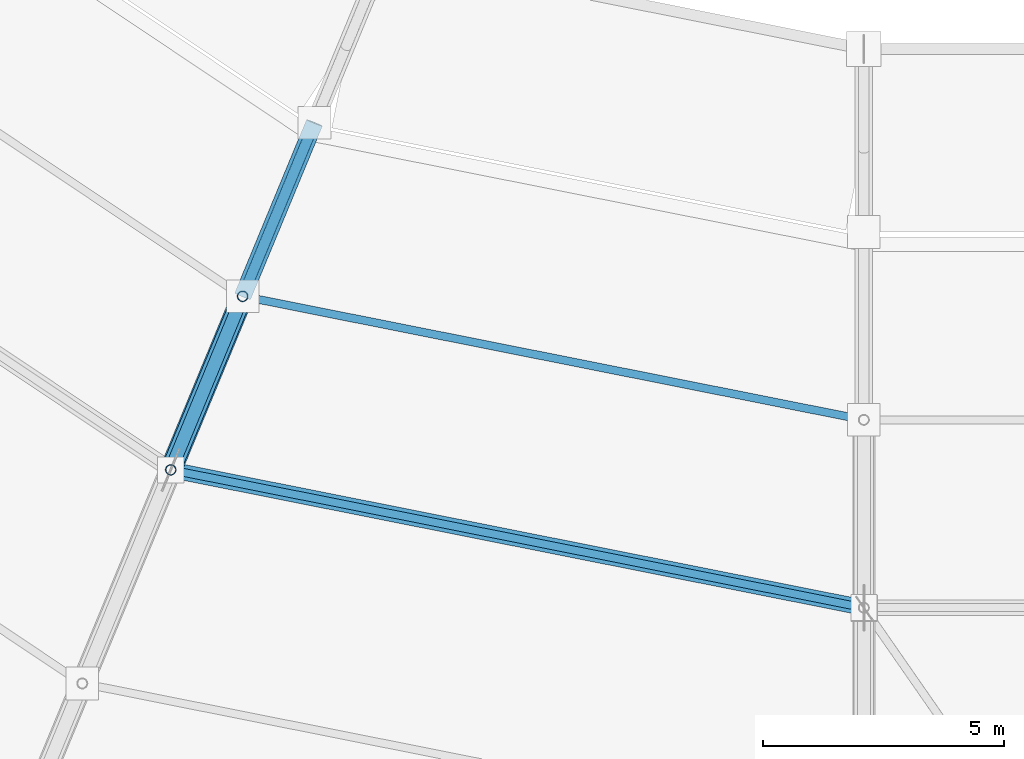
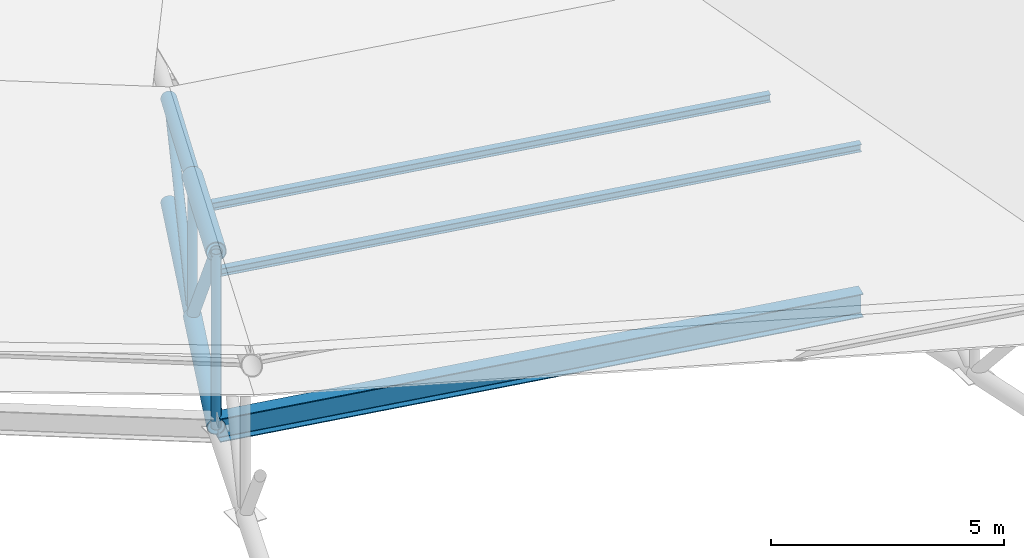
# One storey, part 19 of 146: 10 members, 1 beam.
"""IFC4 building model written with IfcOpenShell, lengths in metres."""

from ifc_helpers import new_model, si_unit, direction, frame, origin, origin_2d, place, context, subcontext, project, spatial, hollow_circle, i_section, extrude, material, material_profile, profile_set, type_object, element, save


model = new_model("IFC4")

# Units and contexts
model_context = context("Model", 3, precision=1e-05, world=origin(), true_north=direction((0.0, 1.0)))
body_context = subcontext(model_context, "Body", "Model", "MODEL_VIEW")
ifc_project = project(units=[si_unit("LENGTHUNIT", "METRE"), si_unit("AREAUNIT", "SQUARE_METRE"), si_unit("VOLUMEUNIT", "CUBIC_METRE"), si_unit("PLANEANGLEUNIT", "RADIAN"), si_unit("MASSUNIT", "GRAM", prefix="KILO")], contexts=[model_context])

# Site, building, storey
site_placement = place(None, origin())
site = spatial("IfcSite", under=ifc_project, at=site_placement, CompositionType="ELEMENT")
building_placement = place(site_placement, origin())
building = spatial("IfcBuilding", under=site, at=building_placement, Name="Candeia Ridge Stadium", CompositionType="ELEMENT")
storey_placement = place(building_placement, frame((0.0, 0.0, 31.800048828125)))
storey = spatial("IfcBuildingStorey", under=building, at=storey_placement, Name="RF", CompositionType="ELEMENT", Elevation=31.800048828125)

# Beam
ifc_material = material(Name="Steel ASTM A572 Grade 50", Category="steel")
ifc_material_profile_1 = material_profile(ifc_material, i_section(OverallWidth=0.324951171875, OverallDepth=0.615966796875, WebThickness=0.013916015625, FlangeThickness=0.021484375, FilletRadius=0.014892578125, at=origin_2d()), Name="W610x174", Category="steel")
ifc_profile_set_1 = profile_set([ifc_material_profile_1], Name="Steel ASTM A572 Grade 50")
beam_type = type_object("IfcBeamType", Name="Roof Compression Ring Beam W610x174", PredefinedType="BEAM", material=ifc_profile_set_1)
beam_placement = place(storey_placement, frame((56.650390625, 36.25439453125, -2.6640625), z_axis=(0.980782874014, -0.195102419364, 0.0), x_axis=(0.195102419364, 0.980782874014, 0.0)))
element("IfcBeam", 1, at=beam_placement, inside=storey, type_object=beam_type, Name="Roof compression ring beam bay 18", PredefinedType="BEAM", context=body_context, shape_type="SweptSolid", body=[
    extrude(i_section(OverallWidth=0.324951171875, OverallDepth=0.615966796875, WebThickness=0.013916015625, FlangeThickness=0.021484375, FilletRadius=0.014892578125, at=origin_2d()), origin(), (0.0, 0.0, 1.0), 14.590576171875),
])

# Members
ifc_material_profile_2 = material_profile(ifc_material, i_section(OverallWidth=0.1650390625, OverallDepth=0.200927734375, WebThickness=0.006103515625, FlangeThickness=0.01025390625, FilletRadius=0.010009765625, at=origin_2d()), Name="W200x35.9", Category="steel")
ifc_profile_set_2 = profile_set([ifc_material_profile_2], Name="Steel ASTM A572 Grade 50")
member_type_1 = type_object("IfcMemberType", Name="Roof Purlin W200x35.9", PredefinedType="PURLIN", material=ifc_profile_set_2)
member_1_placement = place(storey_placement, frame((58.152587890625, 39.85546875, 0.3544921875), z_axis=(0.980786655499, -0.195083408815, 0.0), x_axis=(0.195083408815, 0.980786655499, 0.0)))
element("IfcMember", 2, at=member_1_placement, inside=storey, type_object=member_type_1, Name="Saddle roof steel purlin bay 18-1", PredefinedType="PURLIN", context=body_context, shape_type="SweptSolid", body=[
    extrude(i_section(OverallWidth=0.1650390625, OverallDepth=0.200927734375, WebThickness=0.006103515625, FlangeThickness=0.01025390625, FilletRadius=0.010009765625, at=origin_2d()), origin(), (0.0, 0.0, 1.0), 13.049072265625),
])
member_2_placement = place(storey_placement, frame((56.66015625, 36.25244140625, 1.416015625), z_axis=(0.980783149699, -0.195101033486, 0.0), x_axis=(0.195101033486, 0.980783149699, 0.0)))
element("IfcMember", 3, at=member_2_placement, inside=storey, type_object=member_type_1, Name="Saddle roof steel purlin bay 18-2", PredefinedType="PURLIN", context=body_context, shape_type="SweptSolid", body=[
    extrude(i_section(OverallWidth=0.1650390625, OverallDepth=0.200927734375, WebThickness=0.006103515625, FlangeThickness=0.01025390625, FilletRadius=0.010009765625, at=origin_2d()), origin(), (0.0, 0.0, 1.0), 14.57080078125),
])
ifc_material_profile_3 = material_profile(ifc_material, hollow_circle(Radius=0.136474609375, WallThickness=0.010009765625, at=origin_2d()), Name="CHS273x10", Category="steel")
ifc_profile_set_3 = profile_set([ifc_material_profile_3], Name="Steel ASTM A572 Grade 50")
member_type_2 = type_object("IfcMemberType", Name="Roof Truss Heavy Web Brace CHS273x10", PredefinedType="BRACE", material=ifc_profile_set_3)
member_3_placement = place(storey_placement, frame((58.103515625, 39.865234375, -2.444091796875), z_axis=(-0.254477196729, -0.61435865685, 0.746863305498), x_axis=(0.923878730261, -0.382685369162, 0.0)))
element("IfcMember", 4, at=member_3_placement, inside=storey, type_object=member_type_2, Name="Roof cantilever truss RT-18 diagonal web 3", PredefinedType="BRACE", context=body_context, shape_type="SweptSolid", body=[
    extrude(hollow_circle(Radius=0.136474609375, WallThickness=0.010009765625, at=origin_2d()), origin(), (0.0, 0.0, 1.0), 5.86474609375),
])
ifc_material_profile_4 = material_profile(ifc_material, hollow_circle(Radius=0.109619140625, WallThickness=0.010009765625, at=origin_2d()), Name="CHS219x10", Category="steel")
ifc_profile_set_4 = profile_set([ifc_material_profile_4], Name="Steel ASTM A572 Grade 50")
member_type_3 = type_object("IfcMemberType", Name="Roof Truss Inner Web Brace CHS219x10", PredefinedType="BRACE", material=ifc_profile_set_4)
member_4_placement = place(storey_placement, frame((59.595947265625, 43.468505859375, 0.54296875), z_axis=(-0.303797893097, -0.73347834193, -0.608043059388), x_axis=(0.923887897394, -0.382663237128, 0.0)))
element("IfcMember", 5, at=member_4_placement, inside=storey, type_object=member_type_3, Name="Roof cantilever truss RT-18 diagonal web 2", PredefinedType="BRACE", context=body_context, shape_type="SweptSolid", body=[
    extrude(hollow_circle(Radius=0.109619140625, WallThickness=0.010009765625, at=origin_2d()), origin(), (0.0, 0.0, 1.0), 4.91259765625),
])
member_5_placement = place(storey_placement, frame((58.103515625, 39.865234375, -2.444091796875), z_axis=(0.0, 0.0, 1.0), x_axis=(1.0, 0.0, 0.0)))
element("IfcMember", 6, at=member_5_placement, inside=storey, type_object=member_type_3, Name="Roof cantilever truss RT-18 vertical post 2", PredefinedType="BRACE", context=body_context, shape_type="SweptSolid", body=[
    extrude(hollow_circle(Radius=0.109619140625, WallThickness=0.010009765625, at=origin_2d()), origin(), (0.0, 0.0, 1.0), 3.658447265625),
])
member_6_placement = place(storey_placement, frame((56.611083984375, 36.26220703125, -2.6640625), z_axis=(0.0, 0.0, 1.0), x_axis=(1.0, 0.0, 0.0)))
element("IfcMember", 7, at=member_6_placement, inside=storey, type_object=member_type_3, Name="Roof cantilever truss RT-18 vertical post 3", PredefinedType="BRACE", context=body_context, shape_type="SweptSolid", body=[
    extrude(hollow_circle(Radius=0.109619140625, WallThickness=0.010009765625, at=origin_2d()), origin(), (0.0, 0.0, 1.0), 4.60009765625),
])
ifc_material_profile_5 = material_profile(ifc_material, hollow_circle(Radius=0.228515625, WallThickness=0.02001953125, at=origin_2d()), Name="CHS457x20", Category="steel")
ifc_profile_set_5 = profile_set([ifc_material_profile_5], Name="Steel ASTM A572 Grade 50")
member_type_4 = type_object("IfcMemberType", Name="Roof Truss Main Chord CHS457x20", PredefinedType="CHORD", material=ifc_profile_set_5)
member_7_placement = place(storey_placement, frame((58.103515625, 39.865234375, 1.21435546875), z_axis=(-0.376296661416, -0.908455116829, 0.181961873245), x_axis=(0.923878730261, -0.382685369162, 0.0)))
element("IfcMember", 8, at=member_7_placement, inside=storey, type_object=member_type_4, Name="Roof cantilever truss RT-18 top chord 3", PredefinedType="CHORD", context=body_context, shape_type="SweptSolid", body=[
    extrude(hollow_circle(Radius=0.228515625, WallThickness=0.02001953125, at=origin_2d()), origin(), (0.0, 0.0, 1.0), 3.966064453125),
])
ifc_material_profile_6 = material_profile(ifc_material, hollow_circle(Radius=0.202880859375, WallThickness=0.01611328125, at=origin_2d()), Name="CHS406x16", Category="steel")
ifc_profile_set_6 = profile_set([ifc_material_profile_6], Name="Steel ASTM A572 Grade 50")
member_type_5 = type_object("IfcMemberType", Name="Roof Truss Outer Chord CHS406x16", PredefinedType="CHORD", material=ifc_profile_set_6)
member_8_placement = place(storey_placement, frame((58.103515625, 39.865234375, -2.444091796875), z_axis=(-0.382078071491, -0.922412592682, -0.056314795095), x_axis=(0.923878730261, -0.382685369162, 0.0)))
element("IfcMember", 9, at=member_8_placement, inside=storey, type_object=member_type_5, Name="Roof cantilever truss RT-18 bottom chord 3", PredefinedType="CHORD", context=body_context, shape_type="SweptSolid", body=[
    extrude(hollow_circle(Radius=0.202880859375, WallThickness=0.01611328125, at=origin_2d()), origin(), (0.0, 0.0, 1.0), 3.906005859375),
])
ifc_material_profile_7 = material_profile(ifc_material, hollow_circle(Radius=0.177734375, WallThickness=0.01416015625, at=origin_2d()), Name="CHS355x14", Category="steel")
ifc_profile_set_7 = profile_set([ifc_material_profile_7], Name="Steel ASTM A572 Grade 50")
member_type_6 = type_object("IfcMemberType", Name="Roof Truss Tip Chord CHS355x14", PredefinedType="CHORD", material=ifc_profile_set_7)
member_9_placement = place(storey_placement, frame((59.595947265625, 43.468505859375, 0.54296875), z_axis=(-0.377116301866, -0.91049558306, 0.169649898599), x_axis=(0.923887897394, -0.382663237128, 0.0)))
element("IfcMember", 10, at=member_9_placement, inside=storey, type_object=member_type_6, Name="Roof cantilever truss RT-18 top chord 2", PredefinedType="CHORD", context=body_context, shape_type="SweptSolid", body=[
    extrude(hollow_circle(Radius=0.177734375, WallThickness=0.01416015625, at=origin_2d()), origin(), (0.0, 0.0, 1.0), 3.95751953125),
])
member_10_placement = place(storey_placement, frame((59.595947265625, 43.468505859375, -2.17431640625), z_axis=(-0.381751056295, -0.921685561894, -0.069006202717), x_axis=(0.923887897394, -0.382663237128, 0.0)))
element("IfcMember", 11, at=member_10_placement, inside=storey, type_object=member_type_6, Name="Roof cantilever truss RT-18 bottom chord 2", PredefinedType="CHORD", context=body_context, shape_type="SweptSolid", body=[
    extrude(hollow_circle(Radius=0.177734375, WallThickness=0.01416015625, at=origin_2d()), origin(), (0.0, 0.0, 1.0), 3.909423828125),
])

save(model, "model.ifc")
